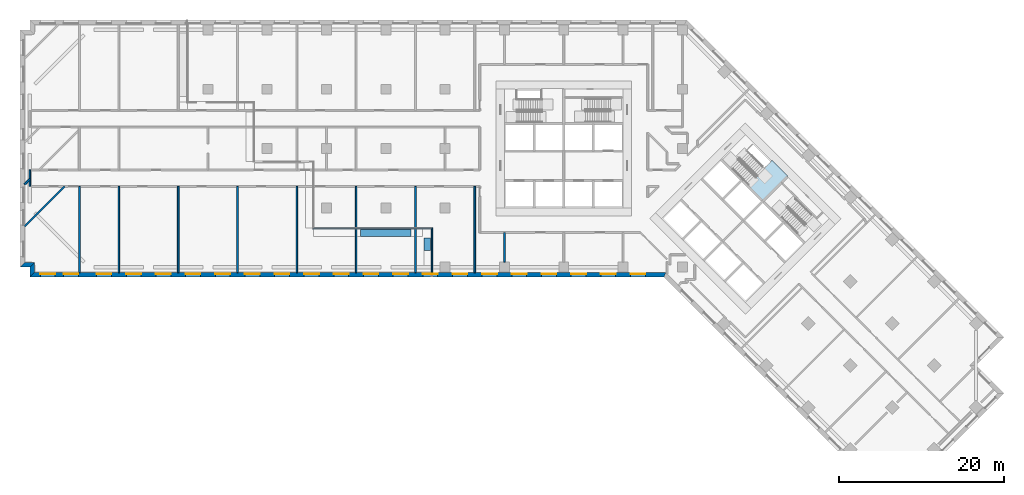
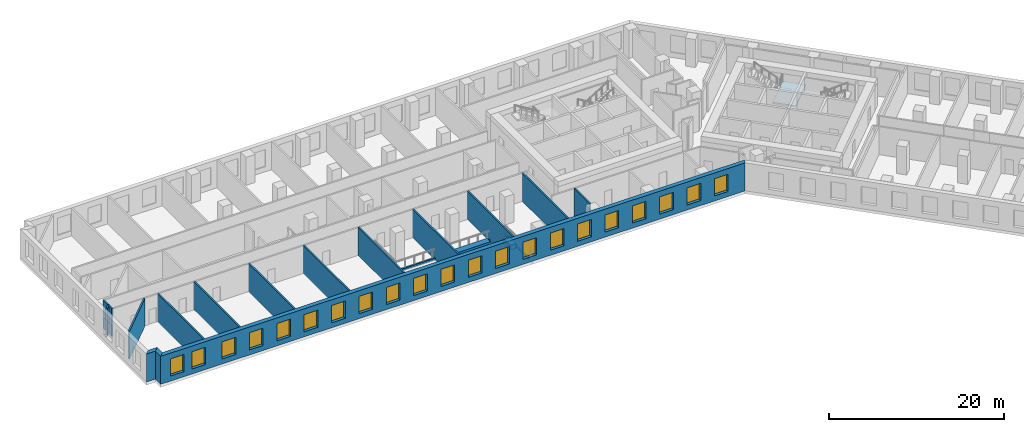
# One storey, part 2 of 12: 21 windows, 19 walls, 1 slab, 21 openings, 1 element without a shape of its own.
"""IFC4 building model written with IfcOpenShell, lengths in metres."""

import ifcopenshell
import ifcopenshell.guid

model = None  # the IFC model being written
_history = None  # IfcOwnerHistory: only IFC2X3 demands one
_inside = {}  # id of a spatial element -> (the spatial element, [elements in it])
_under = {}  # id of a project, library or spatial element -> (it, [spatial elements below it])
_declared = {}  # id of a project -> (the project, [libraries it declares])
_typed = {}  # id of a type object -> (the type object, [elements of that type])
_made_of = {}  # id of a material, layer set ... -> (it, [elements and type objects made of it])


def new_model(schema):
    """Start an empty IFC model of exactly this schema.

    Asked for "IFC4X3", IfcOpenShell would pick the latest addendum, in which some entities
    have other attributes; the version numbers below select the first issue.
    IFC2X3 requires an IfcOwnerHistory on every rooted entity: one is made here for all.
    """
    global model, _history
    if schema == "IFC4X3":
        model = ifcopenshell.file(schema_version=(4, 3, 0, 0))
    else:
        model = ifcopenshell.file(schema=schema)
    _inside.clear()
    _under.clear()
    _declared.clear()
    _typed.clear()
    _made_of.clear()
    _history = None
    if model.schema == "IFC2X3":
        org = make("IfcOrganization", Name="unknown")
        user = make(
            "IfcPersonAndOrganization",
            ThePerson=make("IfcPerson", FamilyName="unknown"),
            TheOrganization=org,
        )
        app = make(
            "IfcApplication",
            ApplicationDeveloper=org,
            Version="unknown",
            ApplicationFullName="unknown",
            ApplicationIdentifier="unknown",
        )
        _history = make(
            "IfcOwnerHistory",
            OwningUser=user,
            OwningApplication=app,
            ChangeAction="ADDED",
            CreationDate=0,
        )
    return model


def make(cls, **values):
    """One entity of the class cls with the attributes given. An attribute that is None is left unset."""
    return model.create_entity(
        cls, **{name: value for name, value in values.items() if value is not None}
    )


def rooted(cls, **values):
    """An entity with a GlobalId (a new one), such as an element, a storey or a relation."""
    return make(cls, GlobalId=ifcopenshell.guid.new(), OwnerHistory=_history, **values)


def si_unit(unit_type, name, prefix=None):
    """IfcSIUnit, for example si_unit("LENGTHUNIT", "METRE", prefix="MILLI")."""
    return make("IfcSIUnit", UnitType=unit_type, Prefix=prefix, Name=name)


def assignment(units):
    """IfcUnitAssignment: the units of a project."""
    return None if units is None else make("IfcUnitAssignment", Units=units)


def point(xyz):
    """IfcCartesianPoint."""
    return None if xyz is None else make("IfcCartesianPoint", Coordinates=xyz)


def direction(xyz):
    """IfcDirection."""
    return None if xyz is None else make("IfcDirection", DirectionRatios=xyz)


def frame(location, z_axis=None, x_axis=None):
    """IfcAxis2Placement3D, a coordinate frame: its origin and axes. An axis left out is left unset."""
    return make(
        "IfcAxis2Placement3D",
        Location=point(location),
        Axis=direction(z_axis),
        RefDirection=direction(x_axis),
    )


def frame_2d(location, x_axis=None):
    """IfcAxis2Placement2D, a coordinate frame in the plane: its origin and x axis."""
    return make(
        "IfcAxis2Placement2D", Location=point(location), RefDirection=direction(x_axis)
    )


def origin():
    """The frame at (0, 0, 0) with its axes left unset."""
    return frame((0.0, 0.0, 0.0))


def place(relative_to, where):
    """IfcLocalPlacement: puts the frame where relative to a parent placement (None: the world)."""
    return make(
        "IfcLocalPlacement", PlacementRelTo=relative_to, RelativePlacement=where
    )


def context(
    kind, dimensions, precision=None, world=None, true_north=None, identifier=None
):
    """IfcGeometricRepresentationContext, for example the 3D "Model" context."""
    return make(
        "IfcGeometricRepresentationContext",
        ContextIdentifier=identifier,
        ContextType=kind,
        CoordinateSpaceDimension=dimensions,
        Precision=precision,
        WorldCoordinateSystem=world,
        TrueNorth=true_north,
    )


def subcontext(parent, identifier, kind, view, scale=None):
    """IfcGeometricRepresentationSubContext, for example "Body" below "Model"."""
    return make(
        "IfcGeometricRepresentationSubContext",
        ContextIdentifier=identifier,
        ContextType=kind,
        ParentContext=parent,
        TargetScale=scale,
        TargetView=view,
    )


def project(units=None, contexts=None):
    """IfcProject with its units and contexts."""
    return rooted(
        "IfcProject",
        Name="project",
        RepresentationContexts=contexts,
        UnitsInContext=assignment(units),
    )


def spatial(cls, under=None, at=None, **own):
    """A site, building, storey or space (cls), placed at a placement, below another one or the project."""
    s = rooted(cls, ObjectPlacement=at, **own)
    if under is not None:
        _under.setdefault(under.id(), (under, []))[1].append(s)
    return s


def polyline(points):
    """IfcPolyline through the points."""
    return make("IfcPolyline", Points=[point(p) for p in points])


def profile(cls, at=None, kind="AREA", **sizes):
    """A parametric profile (cls). Its sizes go by their IFC names, for example OverallWidth=200.0."""
    return make(cls, ProfileType=kind, Position=at, **sizes)


def rectangle(**sizes):
    """IfcRectangleProfileDef."""
    return profile("IfcRectangleProfileDef", **sizes)


def outline(outer, holes=None, kind="AREA"):
    """IfcArbitraryClosedProfileDef: a profile drawn as a closed curve; with holes, ...WithVoids."""
    if holes is None:
        return make("IfcArbitraryClosedProfileDef", ProfileType=kind, OuterCurve=outer)
    return make(
        "IfcArbitraryProfileDefWithVoids",
        ProfileType=kind,
        OuterCurve=outer,
        InnerCurves=holes,
    )


def extrude(swept, where, along, depth):
    """IfcExtrudedAreaSolid: the profile swept, set in the frame where, extruded along a direction by depth."""
    return make(
        "IfcExtrudedAreaSolid",
        SweptArea=swept,
        Position=where,
        ExtrudedDirection=direction(along),
        Depth=depth,
    )


def shape(context_of_items, identifier, shape_type, items):
    """IfcShapeRepresentation: the items that make up one representation, for example the "Body"."""
    return make(
        "IfcShapeRepresentation",
        ContextOfItems=context_of_items,
        RepresentationIdentifier=identifier,
        RepresentationType=shape_type,
        Items=items,
    )


def material(Name=None, Category=None):
    """IfcMaterial."""
    return make("IfcMaterial", Name=Name, Category=Category)


def layer(
    of_material, thickness, ventilated=None, Name=None, Category=None, Priority=None
):
    """IfcMaterialLayer: one layer of a wall or slab, of a material (None: an air gap)."""
    return make(
        "IfcMaterialLayer",
        Material=of_material,
        LayerThickness=thickness,
        IsVentilated=ventilated,
        Name=Name,
        Category=Category,
        Priority=Priority,
    )


def layer_set(layers, Name=None):
    """IfcMaterialLayerSet."""
    return make("IfcMaterialLayerSet", MaterialLayers=layers, LayerSetName=Name)


def made_of(thing, what):
    """Note that an element or type object is made of a material, layer set ...; save() writes the relation."""
    if what is not None:
        _made_of.setdefault(what.id(), (what, []))[1].append(thing)
    return thing


def type_object(cls, material=None, **own):
    """A type object (cls), such as IfcWallType, which elements share."""
    return made_of(rooted(cls, **own), material)


def element(
    cls,
    number,
    at=None,
    inside=None,
    cuts=None,
    type_object=None,
    material=None,
    context=None,
    identifier="Body",
    shape_type=None,
    held_by="IfcProductDefinitionShape",
    body=None,
    shapes=None,
    **own,
):
    """One element of the class cls, such as IfcWall. Its Tag is "e" and its number.

    at: its placement. inside: the storey or other place that contains it. cuts: it is an
    opening in that element (IfcRelVoidsElement). A single representation is given by context,
    identifier, shape_type and body (its items); several are given by shapes. held_by: the class
    of the entity that holds the representations. save() writes the other relations.
    """
    e = rooted(cls, Tag="e%d" % number, ObjectPlacement=at, **own)
    if body is not None:
        shapes = [shape(context, identifier, shape_type, body)]
    if shapes is not None:
        e.Representation = make(held_by, Representations=shapes)
    if inside is not None:
        _inside.setdefault(inside.id(), (inside, []))[1].append(e)
    if cuts is not None:
        rooted(
            "IfcRelVoidsElement", RelatingBuildingElement=cuts, RelatedOpeningElement=e
        )
    if type_object is not None:
        _typed.setdefault(type_object.id(), (type_object, []))[1].append(e)
    return made_of(e, material)


def fill(opening, filler):
    """IfcRelFillsElement: the door or window that sits in an opening."""
    return rooted(
        "IfcRelFillsElement",
        RelatingOpeningElement=opening,
        RelatedBuildingElement=filler,
    )


def aggregate(whole, parts):
    """IfcRelAggregates: a whole, such as a stair, and the parts it consists of."""
    return rooted("IfcRelAggregates", RelatingObject=whole, RelatedObjects=parts)


def save(model, path):
    """Write the relations noted so far, then the file.

    IfcRelAggregates (storeys below a building ...), IfcRelContainedInSpatialStructure (elements
    in a storey), IfcRelDefinesByType, IfcRelAssociatesMaterial and IfcRelDeclares: one each for
    every whole, place, type object, material and project.
    """
    for whole, parts in _under.values():
        aggregate(whole, parts)
    for where, things in _inside.values():
        rooted(
            "IfcRelContainedInSpatialStructure",
            RelatedElements=things,
            RelatingStructure=where,
        )
    for kind, things in _typed.values():
        rooted("IfcRelDefinesByType", RelatedObjects=things, RelatingType=kind)
    for what, things in _made_of.values():
        rooted("IfcRelAssociatesMaterial", RelatedObjects=things, RelatingMaterial=what)
    for by, libraries in _declared.values():
        rooted("IfcRelDeclares", RelatingContext=by, RelatedDefinitions=libraries)
    model.write(path)


model = new_model("IFC4")

# Units and contexts
model_context = context("Model", 3, precision=1e-05, world=origin(), true_north=direction((0.0, 1.0)))
body_context = subcontext(model_context, "Body", "Model", "MODEL_VIEW")
ifc_project = project(units=[si_unit("LENGTHUNIT", "METRE"), si_unit("AREAUNIT", "SQUARE_METRE"), si_unit("VOLUMEUNIT", "CUBIC_METRE"), si_unit("PLANEANGLEUNIT", "RADIAN"), si_unit("MASSUNIT", "GRAM", prefix="KILO")], contexts=[model_context])

# Site, building, storey
site_placement = place(None, origin())
site = spatial("IfcSite", under=ifc_project, at=site_placement, CompositionType="ELEMENT")
building_placement = place(site_placement, origin())
building = spatial("IfcBuilding", under=site, at=building_placement, Name="Windrow Commons", CompositionType="ELEMENT")
storey_placement = place(building_placement, frame((0.0, 0.0, 22.8)))
storey = spatial("IfcBuildingStorey", under=building, at=storey_placement, Name="L05", CompositionType="ELEMENT", Elevation=22.8)

# Stair, slab
ifc_material_1 = material(Name="Concrete C40/50", Category="concrete")
stair_type = type_object("IfcStairType", Name="Core stair", PredefinedType="HALF_TURN_STAIR", material=ifc_material_1)
stair_placement = place(storey_placement, origin())
stair = element("IfcStair", 1, at=stair_placement, inside=storey, type_object=stair_type, Name="L05 Exit stair B1 core B", PredefinedType="HALF_TURN_STAIR")
ifc_material_2 = material(Name="Concrete C40/50", Category="concrete")
ifc_layer_1 = layer(ifc_material_2, 0.2)
ifc_layer_set_1 = layer_set([ifc_layer_1], Name="Core stair landing")
slab_type = type_object("IfcSlabType", Name="Core stair landing", PredefinedType="LANDING", material=ifc_layer_set_1)
slab_placement = place(storey_placement, frame((0.0, 0.0, 1.9)))
slab = element("IfcSlab", 2, at=slab_placement, type_object=slab_type, Name="ST-B1 landing 1", PredefinedType="LANDING", context=body_context, shape_type="SweptSolid", body=[
    extrude(outline(polyline([(86.9499, 53.0778), (88.8874, 51.1403), (91.9986, 54.2516), (90.0612, 56.1891), (86.9499, 53.0778)])), origin(), (0.0, 0.0, 1.0), 0.2),
])
aggregate(stair, [slab])

# Walls
ifc_material_3 = material(Name="Brick masonry, red clay brick", Category="masonry")
ifc_layer_2 = layer(ifc_material_3, 0.55)
ifc_layer_set_2 = layer_set([ifc_layer_2], Name="Brick facade wall 550")
wall_type_1 = type_object("IfcWallType", Name="Brick facade wall 550", PredefinedType="SOLIDWALL", material=ifc_layer_set_2)
wall_1_placement = place(storey_placement, frame((-0.925, 43.475, 0.0), z_axis=(0.0, 0.0, 1.0), x_axis=(1.0, 0.0, 0.0)))
element("IfcWall", 3, at=wall_1_placement, inside=storey, type_object=wall_type_1, Name="Brick facade wall L05 9", PredefinedType="SOLIDWALL", context=body_context, shape_type="SweptSolid", body=[
    extrude(outline(polyline([(-0.275, -0.275), (0.925, -0.275), (1.475, 0.275), (0.275, 0.275), (-0.275, -0.275)])), origin(), (0.0, 0.0, 1.0), 3.9),
])
wall_2_placement = place(storey_placement, frame((0.275, 43.475, 0.0), z_axis=(0.0, 0.0, 1.0), x_axis=(0.0, -1.0, 0.0)))
element("IfcWall", 4, at=wall_2_placement, inside=storey, type_object=wall_type_1, Name="Brick facade wall L05 10", PredefinedType="SOLIDWALL", context=body_context, shape_type="SweptSolid", body=[
    extrude(outline(polyline([(0.275, -0.275), (1.475, -0.275), (0.925, 0.275), (-0.275, 0.275), (0.275, -0.275)])), origin(), (0.0, 0.0, 1.0), 3.9),
])

# Wall, openings, windows
wall_3_placement = place(storey_placement, frame((0.275, 42.275, 0.0), z_axis=(0.0, 0.0, 1.0), x_axis=(1.0, 0.0, 0.0)))
wall_3 = element("IfcWall", 5, at=wall_3_placement, inside=storey, type_object=wall_type_1, Name="Brick facade wall L05 11", PredefinedType="SOLIDWALL", context=body_context, shape_type="SweptSolid", body=[
    extrude(outline(polyline([(-0.275, -0.275), (76.6809, -0.275), (76.9087, 0.275), (0.275, 0.275), (-0.275, -0.275)])), origin(), (0.0, 0.0, 1.0), 3.9),
])
opening_1_placement = place(wall_3_placement, frame((1.0, 0.0, 0.7)))
opening_1 = element("IfcOpeningElement", 6, at=opening_1_placement, cuts=wall_3, Name="Opening W2B", PredefinedType="OPENING", context=body_context, shape_type="SweptSolid", body=[
    extrude(rectangle(XDim=1.8, YDim=2.4, at=frame_2d((0.9, 1.2))), frame((0.0, 0.285, 0.0), z_axis=(0.0, -1.0, 0.0), x_axis=(1.0, 0.0, 0.0)), (0.0, 0.0, 1.0), 0.57),
])
opening_2_placement = place(wall_3_placement, frame((3.825, 0.0, 0.7)))
opening_2 = element("IfcOpeningElement", 7, at=opening_2_placement, cuts=wall_3, Name="Opening W2B", PredefinedType="OPENING", context=body_context, shape_type="SweptSolid", body=[
    extrude(rectangle(XDim=1.8, YDim=2.4, at=frame_2d((0.9, 1.2))), frame((0.0, 0.285, 0.0), z_axis=(0.0, -1.0, 0.0), x_axis=(1.0, 0.0, 0.0)), (0.0, 0.0, 1.0), 0.57),
])
opening_3_placement = place(wall_3_placement, frame((7.825, 0.0, 0.7)))
opening_3 = element("IfcOpeningElement", 8, at=opening_3_placement, cuts=wall_3, Name="Opening W2B", PredefinedType="OPENING", context=body_context, shape_type="SweptSolid", body=[
    extrude(rectangle(XDim=1.8, YDim=2.4, at=frame_2d((0.9, 1.2))), frame((0.0, 0.285, 0.0), z_axis=(0.0, -1.0, 0.0), x_axis=(1.0, 0.0, 0.0)), (0.0, 0.0, 1.0), 0.57),
])
opening_4_placement = place(wall_3_placement, frame((11.425, 0.0, 0.7)))
opening_4 = element("IfcOpeningElement", 9, at=opening_4_placement, cuts=wall_3, Name="Opening W2B", PredefinedType="OPENING", context=body_context, shape_type="SweptSolid", body=[
    extrude(rectangle(XDim=1.8, YDim=2.4, at=frame_2d((0.9, 1.2))), frame((0.0, 0.285, 0.0), z_axis=(0.0, -1.0, 0.0), x_axis=(1.0, 0.0, 0.0)), (0.0, 0.0, 1.0), 0.57),
])
opening_5_placement = place(wall_3_placement, frame((15.025, 0.0, 0.7)))
opening_5 = element("IfcOpeningElement", 10, at=opening_5_placement, cuts=wall_3, Name="Opening W2B", PredefinedType="OPENING", context=body_context, shape_type="SweptSolid", body=[
    extrude(rectangle(XDim=1.8, YDim=2.4, at=frame_2d((0.9, 1.2))), frame((0.0, 0.285, 0.0), z_axis=(0.0, -1.0, 0.0), x_axis=(1.0, 0.0, 0.0)), (0.0, 0.0, 1.0), 0.57),
])
opening_6_placement = place(wall_3_placement, frame((18.625, 0.0, 0.7)))
opening_6 = element("IfcOpeningElement", 11, at=opening_6_placement, cuts=wall_3, Name="Opening W2B", PredefinedType="OPENING", context=body_context, shape_type="SweptSolid", body=[
    extrude(rectangle(XDim=1.8, YDim=2.4, at=frame_2d((0.9, 1.2))), frame((0.0, 0.285, 0.0), z_axis=(0.0, -1.0, 0.0), x_axis=(1.0, 0.0, 0.0)), (0.0, 0.0, 1.0), 0.57),
])
opening_7_placement = place(wall_3_placement, frame((22.225, 0.0, 0.7)))
opening_7 = element("IfcOpeningElement", 12, at=opening_7_placement, cuts=wall_3, Name="Opening W2B", PredefinedType="OPENING", context=body_context, shape_type="SweptSolid", body=[
    extrude(rectangle(XDim=1.8, YDim=2.4, at=frame_2d((0.9, 1.2))), frame((0.0, 0.285, 0.0), z_axis=(0.0, -1.0, 0.0), x_axis=(1.0, 0.0, 0.0)), (0.0, 0.0, 1.0), 0.57),
])
opening_8_placement = place(wall_3_placement, frame((25.825, 0.0, 0.7)))
opening_8 = element("IfcOpeningElement", 13, at=opening_8_placement, cuts=wall_3, Name="Opening W2B", PredefinedType="OPENING", context=body_context, shape_type="SweptSolid", body=[
    extrude(rectangle(XDim=1.8, YDim=2.4, at=frame_2d((0.9, 1.2))), frame((0.0, 0.285, 0.0), z_axis=(0.0, -1.0, 0.0), x_axis=(1.0, 0.0, 0.0)), (0.0, 0.0, 1.0), 0.57),
])
opening_9_placement = place(wall_3_placement, frame((29.425, 0.0, 0.7)))
opening_9 = element("IfcOpeningElement", 14, at=opening_9_placement, cuts=wall_3, Name="Opening W2B", PredefinedType="OPENING", context=body_context, shape_type="SweptSolid", body=[
    extrude(rectangle(XDim=1.8, YDim=2.4, at=frame_2d((0.9, 1.2))), frame((0.0, 0.285, 0.0), z_axis=(0.0, -1.0, 0.0), x_axis=(1.0, 0.0, 0.0)), (0.0, 0.0, 1.0), 0.57),
])
opening_10_placement = place(wall_3_placement, frame((33.025, 0.0, 0.7)))
opening_10 = element("IfcOpeningElement", 15, at=opening_10_placement, cuts=wall_3, Name="Opening W2B", PredefinedType="OPENING", context=body_context, shape_type="SweptSolid", body=[
    extrude(rectangle(XDim=1.8, YDim=2.4, at=frame_2d((0.9, 1.2))), frame((0.0, 0.285, 0.0), z_axis=(0.0, -1.0, 0.0), x_axis=(1.0, 0.0, 0.0)), (0.0, 0.0, 1.0), 0.57),
])
opening_11_placement = place(wall_3_placement, frame((36.625, 0.0, 0.7)))
opening_11 = element("IfcOpeningElement", 16, at=opening_11_placement, cuts=wall_3, Name="Opening W2B", PredefinedType="OPENING", context=body_context, shape_type="SweptSolid", body=[
    extrude(rectangle(XDim=1.8, YDim=2.4, at=frame_2d((0.9, 1.2))), frame((0.0, 0.285, 0.0), z_axis=(0.0, -1.0, 0.0), x_axis=(1.0, 0.0, 0.0)), (0.0, 0.0, 1.0), 0.57),
])
opening_12_placement = place(wall_3_placement, frame((40.225, 0.0, 0.7)))
opening_12 = element("IfcOpeningElement", 17, at=opening_12_placement, cuts=wall_3, Name="Opening W2B", PredefinedType="OPENING", context=body_context, shape_type="SweptSolid", body=[
    extrude(rectangle(XDim=1.8, YDim=2.4, at=frame_2d((0.9, 1.2))), frame((0.0, 0.285, 0.0), z_axis=(0.0, -1.0, 0.0), x_axis=(1.0, 0.0, 0.0)), (0.0, 0.0, 1.0), 0.57),
])
opening_13_placement = place(wall_3_placement, frame((43.825, 0.0, 0.7)))
opening_13 = element("IfcOpeningElement", 18, at=opening_13_placement, cuts=wall_3, Name="Opening W2B", PredefinedType="OPENING", context=body_context, shape_type="SweptSolid", body=[
    extrude(rectangle(XDim=1.8, YDim=2.4, at=frame_2d((0.9, 1.2))), frame((0.0, 0.285, 0.0), z_axis=(0.0, -1.0, 0.0), x_axis=(1.0, 0.0, 0.0)), (0.0, 0.0, 1.0), 0.57),
])
opening_14_placement = place(wall_3_placement, frame((47.425, 0.0, 0.7)))
opening_14 = element("IfcOpeningElement", 19, at=opening_14_placement, cuts=wall_3, Name="Opening W2B", PredefinedType="OPENING", context=body_context, shape_type="SweptSolid", body=[
    extrude(rectangle(XDim=1.8, YDim=2.4, at=frame_2d((0.9, 1.2))), frame((0.0, 0.285, 0.0), z_axis=(0.0, -1.0, 0.0), x_axis=(1.0, 0.0, 0.0)), (0.0, 0.0, 1.0), 0.57),
])
opening_15_placement = place(wall_3_placement, frame((51.025, 0.0, 0.7)))
opening_15 = element("IfcOpeningElement", 20, at=opening_15_placement, cuts=wall_3, Name="Opening W2B", PredefinedType="OPENING", context=body_context, shape_type="SweptSolid", body=[
    extrude(rectangle(XDim=1.8, YDim=2.4, at=frame_2d((0.9, 1.2))), frame((0.0, 0.285, 0.0), z_axis=(0.0, -1.0, 0.0), x_axis=(1.0, 0.0, 0.0)), (0.0, 0.0, 1.0), 0.57),
])
opening_16_placement = place(wall_3_placement, frame((54.625, 0.0, 0.7)))
opening_16 = element("IfcOpeningElement", 21, at=opening_16_placement, cuts=wall_3, Name="Opening W2B", PredefinedType="OPENING", context=body_context, shape_type="SweptSolid", body=[
    extrude(rectangle(XDim=1.8, YDim=2.4, at=frame_2d((0.9, 1.2))), frame((0.0, 0.285, 0.0), z_axis=(0.0, -1.0, 0.0), x_axis=(1.0, 0.0, 0.0)), (0.0, 0.0, 1.0), 0.57),
])
opening_17_placement = place(wall_3_placement, frame((58.225, 0.0, 0.7)))
opening_17 = element("IfcOpeningElement", 22, at=opening_17_placement, cuts=wall_3, Name="Opening W2B", PredefinedType="OPENING", context=body_context, shape_type="SweptSolid", body=[
    extrude(rectangle(XDim=1.8, YDim=2.4, at=frame_2d((0.9, 1.2))), frame((0.0, 0.285, 0.0), z_axis=(0.0, -1.0, 0.0), x_axis=(1.0, 0.0, 0.0)), (0.0, 0.0, 1.0), 0.57),
])
opening_18_placement = place(wall_3_placement, frame((61.825, 0.0, 0.7)))
opening_18 = element("IfcOpeningElement", 23, at=opening_18_placement, cuts=wall_3, Name="Opening W2B", PredefinedType="OPENING", context=body_context, shape_type="SweptSolid", body=[
    extrude(rectangle(XDim=1.8, YDim=2.4, at=frame_2d((0.9, 1.2))), frame((0.0, 0.285, 0.0), z_axis=(0.0, -1.0, 0.0), x_axis=(1.0, 0.0, 0.0)), (0.0, 0.0, 1.0), 0.57),
])
opening_19_placement = place(wall_3_placement, frame((65.425, 0.0, 0.7)))
opening_19 = element("IfcOpeningElement", 24, at=opening_19_placement, cuts=wall_3, Name="Opening W2B", PredefinedType="OPENING", context=body_context, shape_type="SweptSolid", body=[
    extrude(rectangle(XDim=1.8, YDim=2.4, at=frame_2d((0.9, 1.2))), frame((0.0, 0.285, 0.0), z_axis=(0.0, -1.0, 0.0), x_axis=(1.0, 0.0, 0.0)), (0.0, 0.0, 1.0), 0.57),
])
opening_20_placement = place(wall_3_placement, frame((69.025, 0.0, 0.7)))
opening_20 = element("IfcOpeningElement", 25, at=opening_20_placement, cuts=wall_3, Name="Opening W2B", PredefinedType="OPENING", context=body_context, shape_type="SweptSolid", body=[
    extrude(rectangle(XDim=1.8, YDim=2.4, at=frame_2d((0.9, 1.2))), frame((0.0, 0.285, 0.0), z_axis=(0.0, -1.0, 0.0), x_axis=(1.0, 0.0, 0.0)), (0.0, 0.0, 1.0), 0.57),
])
opening_21_placement = place(wall_3_placement, frame((72.625, 0.0, 0.7)))
opening_21 = element("IfcOpeningElement", 26, at=opening_21_placement, cuts=wall_3, Name="Opening W2B", PredefinedType="OPENING", context=body_context, shape_type="SweptSolid", body=[
    extrude(rectangle(XDim=1.8, YDim=2.4, at=frame_2d((0.9, 1.2))), frame((0.0, 0.285, 0.0), z_axis=(0.0, -1.0, 0.0), x_axis=(1.0, 0.0, 0.0)), (0.0, 0.0, 1.0), 0.57),
])
ifc_material_4 = material(Name="Clear float glass in anodised aluminium frame", Category="aluminium")
window_type = type_object("IfcWindowType", Name="Window W2 podium 1800x2400", PartitioningType="SINGLE_PANEL", PredefinedType="WINDOW", material=ifc_material_4)
window_1_placement = place(opening_1_placement, origin())
window_1 = element("IfcWindow", 27, at=window_1_placement, inside=storey, type_object=window_type, Name="Window L05 11.1", OverallHeight=2.4, OverallWidth=1.8, PartitioningType="SINGLE_PANEL", PredefinedType="WINDOW", context=body_context, shape_type="SweptSolid", body=[
    extrude(rectangle(XDim=1.8, YDim=2.4, at=frame_2d((0.9, 1.2))), frame((0.0, 0.155, 0.0), z_axis=(0.0, -1.0, 0.0), x_axis=(1.0, 0.0, 0.0)), (0.0, 0.0, 1.0), 0.06),
])
fill(opening_1, window_1)
window_2_placement = place(opening_2_placement, origin())
window_2 = element("IfcWindow", 28, at=window_2_placement, inside=storey, type_object=window_type, Name="Window L05 11.2", OverallHeight=2.4, OverallWidth=1.8, PartitioningType="SINGLE_PANEL", PredefinedType="WINDOW", context=body_context, shape_type="SweptSolid", body=[
    extrude(rectangle(XDim=1.8, YDim=2.4, at=frame_2d((0.9, 1.2))), frame((0.0, 0.155, 0.0), z_axis=(0.0, -1.0, 0.0), x_axis=(1.0, 0.0, 0.0)), (0.0, 0.0, 1.0), 0.06),
])
fill(opening_2, window_2)
window_3_placement = place(opening_3_placement, origin())
window_3 = element("IfcWindow", 29, at=window_3_placement, inside=storey, type_object=window_type, Name="Window L05 11.3", OverallHeight=2.4, OverallWidth=1.8, PartitioningType="SINGLE_PANEL", PredefinedType="WINDOW", context=body_context, shape_type="SweptSolid", body=[
    extrude(rectangle(XDim=1.8, YDim=2.4, at=frame_2d((0.9, 1.2))), frame((0.0, 0.155, 0.0), z_axis=(0.0, -1.0, 0.0), x_axis=(1.0, 0.0, 0.0)), (0.0, 0.0, 1.0), 0.06),
])
fill(opening_3, window_3)
window_4_placement = place(opening_4_placement, origin())
window_4 = element("IfcWindow", 30, at=window_4_placement, inside=storey, type_object=window_type, Name="Window L05 11.4", OverallHeight=2.4, OverallWidth=1.8, PartitioningType="SINGLE_PANEL", PredefinedType="WINDOW", context=body_context, shape_type="SweptSolid", body=[
    extrude(rectangle(XDim=1.8, YDim=2.4, at=frame_2d((0.9, 1.2))), frame((0.0, 0.155, 0.0), z_axis=(0.0, -1.0, 0.0), x_axis=(1.0, 0.0, 0.0)), (0.0, 0.0, 1.0), 0.06),
])
fill(opening_4, window_4)
window_5_placement = place(opening_5_placement, origin())
window_5 = element("IfcWindow", 31, at=window_5_placement, inside=storey, type_object=window_type, Name="Window L05 11.5", OverallHeight=2.4, OverallWidth=1.8, PartitioningType="SINGLE_PANEL", PredefinedType="WINDOW", context=body_context, shape_type="SweptSolid", body=[
    extrude(rectangle(XDim=1.8, YDim=2.4, at=frame_2d((0.9, 1.2))), frame((0.0, 0.155, 0.0), z_axis=(0.0, -1.0, 0.0), x_axis=(1.0, 0.0, 0.0)), (0.0, 0.0, 1.0), 0.06),
])
fill(opening_5, window_5)
window_6_placement = place(opening_6_placement, origin())
window_6 = element("IfcWindow", 32, at=window_6_placement, inside=storey, type_object=window_type, Name="Window L05 11.6", OverallHeight=2.4, OverallWidth=1.8, PartitioningType="SINGLE_PANEL", PredefinedType="WINDOW", context=body_context, shape_type="SweptSolid", body=[
    extrude(rectangle(XDim=1.8, YDim=2.4, at=frame_2d((0.9, 1.2))), frame((0.0, 0.155, 0.0), z_axis=(0.0, -1.0, 0.0), x_axis=(1.0, 0.0, 0.0)), (0.0, 0.0, 1.0), 0.06),
])
fill(opening_6, window_6)
window_7_placement = place(opening_7_placement, origin())
window_7 = element("IfcWindow", 33, at=window_7_placement, inside=storey, type_object=window_type, Name="Window L05 11.7", OverallHeight=2.4, OverallWidth=1.8, PartitioningType="SINGLE_PANEL", PredefinedType="WINDOW", context=body_context, shape_type="SweptSolid", body=[
    extrude(rectangle(XDim=1.8, YDim=2.4, at=frame_2d((0.9, 1.2))), frame((0.0, 0.155, 0.0), z_axis=(0.0, -1.0, 0.0), x_axis=(1.0, 0.0, 0.0)), (0.0, 0.0, 1.0), 0.06),
])
fill(opening_7, window_7)
window_8_placement = place(opening_8_placement, origin())
window_8 = element("IfcWindow", 34, at=window_8_placement, inside=storey, type_object=window_type, Name="Window L05 11.8", OverallHeight=2.4, OverallWidth=1.8, PartitioningType="SINGLE_PANEL", PredefinedType="WINDOW", context=body_context, shape_type="SweptSolid", body=[
    extrude(rectangle(XDim=1.8, YDim=2.4, at=frame_2d((0.9, 1.2))), frame((0.0, 0.155, 0.0), z_axis=(0.0, -1.0, 0.0), x_axis=(1.0, 0.0, 0.0)), (0.0, 0.0, 1.0), 0.06),
])
fill(opening_8, window_8)
window_9_placement = place(opening_9_placement, origin())
window_9 = element("IfcWindow", 35, at=window_9_placement, inside=storey, type_object=window_type, Name="Window L05 11.9", OverallHeight=2.4, OverallWidth=1.8, PartitioningType="SINGLE_PANEL", PredefinedType="WINDOW", context=body_context, shape_type="SweptSolid", body=[
    extrude(rectangle(XDim=1.8, YDim=2.4, at=frame_2d((0.9, 1.2))), frame((0.0, 0.155, 0.0), z_axis=(0.0, -1.0, 0.0), x_axis=(1.0, 0.0, 0.0)), (0.0, 0.0, 1.0), 0.06),
])
fill(opening_9, window_9)
window_10_placement = place(opening_10_placement, origin())
window_10 = element("IfcWindow", 36, at=window_10_placement, inside=storey, type_object=window_type, Name="Window L05 11.10", OverallHeight=2.4, OverallWidth=1.8, PartitioningType="SINGLE_PANEL", PredefinedType="WINDOW", context=body_context, shape_type="SweptSolid", body=[
    extrude(rectangle(XDim=1.8, YDim=2.4, at=frame_2d((0.9, 1.2))), frame((0.0, 0.155, 0.0), z_axis=(0.0, -1.0, 0.0), x_axis=(1.0, 0.0, 0.0)), (0.0, 0.0, 1.0), 0.06),
])
fill(opening_10, window_10)
window_11_placement = place(opening_11_placement, origin())
window_11 = element("IfcWindow", 37, at=window_11_placement, inside=storey, type_object=window_type, Name="Window L05 11.11", OverallHeight=2.4, OverallWidth=1.8, PartitioningType="SINGLE_PANEL", PredefinedType="WINDOW", context=body_context, shape_type="SweptSolid", body=[
    extrude(rectangle(XDim=1.8, YDim=2.4, at=frame_2d((0.9, 1.2))), frame((0.0, 0.155, 0.0), z_axis=(0.0, -1.0, 0.0), x_axis=(1.0, 0.0, 0.0)), (0.0, 0.0, 1.0), 0.06),
])
fill(opening_11, window_11)
window_12_placement = place(opening_12_placement, origin())
window_12 = element("IfcWindow", 38, at=window_12_placement, inside=storey, type_object=window_type, Name="Window L05 11.12", OverallHeight=2.4, OverallWidth=1.8, PartitioningType="SINGLE_PANEL", PredefinedType="WINDOW", context=body_context, shape_type="SweptSolid", body=[
    extrude(rectangle(XDim=1.8, YDim=2.4, at=frame_2d((0.9, 1.2))), frame((0.0, 0.155, 0.0), z_axis=(0.0, -1.0, 0.0), x_axis=(1.0, 0.0, 0.0)), (0.0, 0.0, 1.0), 0.06),
])
fill(opening_12, window_12)
window_13_placement = place(opening_13_placement, origin())
window_13 = element("IfcWindow", 39, at=window_13_placement, inside=storey, type_object=window_type, Name="Window L05 11.13", OverallHeight=2.4, OverallWidth=1.8, PartitioningType="SINGLE_PANEL", PredefinedType="WINDOW", context=body_context, shape_type="SweptSolid", body=[
    extrude(rectangle(XDim=1.8, YDim=2.4, at=frame_2d((0.9, 1.2))), frame((0.0, 0.155, 0.0), z_axis=(0.0, -1.0, 0.0), x_axis=(1.0, 0.0, 0.0)), (0.0, 0.0, 1.0), 0.06),
])
fill(opening_13, window_13)
window_14_placement = place(opening_14_placement, origin())
window_14 = element("IfcWindow", 40, at=window_14_placement, inside=storey, type_object=window_type, Name="Window L05 11.14", OverallHeight=2.4, OverallWidth=1.8, PartitioningType="SINGLE_PANEL", PredefinedType="WINDOW", context=body_context, shape_type="SweptSolid", body=[
    extrude(rectangle(XDim=1.8, YDim=2.4, at=frame_2d((0.9, 1.2))), frame((0.0, 0.155, 0.0), z_axis=(0.0, -1.0, 0.0), x_axis=(1.0, 0.0, 0.0)), (0.0, 0.0, 1.0), 0.06),
])
fill(opening_14, window_14)
window_15_placement = place(opening_15_placement, origin())
window_15 = element("IfcWindow", 41, at=window_15_placement, inside=storey, type_object=window_type, Name="Window L05 11.15", OverallHeight=2.4, OverallWidth=1.8, PartitioningType="SINGLE_PANEL", PredefinedType="WINDOW", context=body_context, shape_type="SweptSolid", body=[
    extrude(rectangle(XDim=1.8, YDim=2.4, at=frame_2d((0.9, 1.2))), frame((0.0, 0.155, 0.0), z_axis=(0.0, -1.0, 0.0), x_axis=(1.0, 0.0, 0.0)), (0.0, 0.0, 1.0), 0.06),
])
fill(opening_15, window_15)
window_16_placement = place(opening_16_placement, origin())
window_16 = element("IfcWindow", 42, at=window_16_placement, inside=storey, type_object=window_type, Name="Window L05 11.16", OverallHeight=2.4, OverallWidth=1.8, PartitioningType="SINGLE_PANEL", PredefinedType="WINDOW", context=body_context, shape_type="SweptSolid", body=[
    extrude(rectangle(XDim=1.8, YDim=2.4, at=frame_2d((0.9, 1.2))), frame((0.0, 0.155, 0.0), z_axis=(0.0, -1.0, 0.0), x_axis=(1.0, 0.0, 0.0)), (0.0, 0.0, 1.0), 0.06),
])
fill(opening_16, window_16)
window_17_placement = place(opening_17_placement, origin())
window_17 = element("IfcWindow", 43, at=window_17_placement, inside=storey, type_object=window_type, Name="Window L05 11.17", OverallHeight=2.4, OverallWidth=1.8, PartitioningType="SINGLE_PANEL", PredefinedType="WINDOW", context=body_context, shape_type="SweptSolid", body=[
    extrude(rectangle(XDim=1.8, YDim=2.4, at=frame_2d((0.9, 1.2))), frame((0.0, 0.155, 0.0), z_axis=(0.0, -1.0, 0.0), x_axis=(1.0, 0.0, 0.0)), (0.0, 0.0, 1.0), 0.06),
])
fill(opening_17, window_17)
window_18_placement = place(opening_18_placement, origin())
window_18 = element("IfcWindow", 44, at=window_18_placement, inside=storey, type_object=window_type, Name="Window L05 11.18", OverallHeight=2.4, OverallWidth=1.8, PartitioningType="SINGLE_PANEL", PredefinedType="WINDOW", context=body_context, shape_type="SweptSolid", body=[
    extrude(rectangle(XDim=1.8, YDim=2.4, at=frame_2d((0.9, 1.2))), frame((0.0, 0.155, 0.0), z_axis=(0.0, -1.0, 0.0), x_axis=(1.0, 0.0, 0.0)), (0.0, 0.0, 1.0), 0.06),
])
fill(opening_18, window_18)
window_19_placement = place(opening_19_placement, origin())
window_19 = element("IfcWindow", 45, at=window_19_placement, inside=storey, type_object=window_type, Name="Window L05 11.19", OverallHeight=2.4, OverallWidth=1.8, PartitioningType="SINGLE_PANEL", PredefinedType="WINDOW", context=body_context, shape_type="SweptSolid", body=[
    extrude(rectangle(XDim=1.8, YDim=2.4, at=frame_2d((0.9, 1.2))), frame((0.0, 0.155, 0.0), z_axis=(0.0, -1.0, 0.0), x_axis=(1.0, 0.0, 0.0)), (0.0, 0.0, 1.0), 0.06),
])
fill(opening_19, window_19)
window_20_placement = place(opening_20_placement, origin())
window_20 = element("IfcWindow", 46, at=window_20_placement, inside=storey, type_object=window_type, Name="Window L05 11.20", OverallHeight=2.4, OverallWidth=1.8, PartitioningType="SINGLE_PANEL", PredefinedType="WINDOW", context=body_context, shape_type="SweptSolid", body=[
    extrude(rectangle(XDim=1.8, YDim=2.4, at=frame_2d((0.9, 1.2))), frame((0.0, 0.155, 0.0), z_axis=(0.0, -1.0, 0.0), x_axis=(1.0, 0.0, 0.0)), (0.0, 0.0, 1.0), 0.06),
])
fill(opening_20, window_20)
window_21_placement = place(opening_21_placement, origin())
window_21 = element("IfcWindow", 47, at=window_21_placement, inside=storey, type_object=window_type, Name="Window L05 11.21", OverallHeight=2.4, OverallWidth=1.8, PartitioningType="SINGLE_PANEL", PredefinedType="WINDOW", context=body_context, shape_type="SweptSolid", body=[
    extrude(rectangle(XDim=1.8, YDim=2.4, at=frame_2d((0.9, 1.2))), frame((0.0, 0.155, 0.0), z_axis=(0.0, -1.0, 0.0), x_axis=(1.0, 0.0, 0.0)), (0.0, 0.0, 1.0), 0.06),
])
fill(opening_21, window_21)

# Walls
ifc_material_5 = material(Name="Blockwork partition", Category="masonry")
ifc_layer_3 = layer(ifc_material_5, 0.2)
ifc_layer_set_3 = layer_set([ifc_layer_3], Name="IW-CORRIDOR-200")
wall_type_2 = type_object("IfcWallType", Name="IW-CORRIDOR-200", PredefinedType="PARTITIONING", material=ifc_layer_set_3)
wall_4_placement = place(storey_placement, frame((0.0, 53.0, 0.0), z_axis=(0.0, 0.0, 1.0), x_axis=(0.0, 1.0, 0.0)))
element("IfcWall", 48, at=wall_4_placement, inside=storey, type_object=wall_type_2, Name="W-L05-W075", PredefinedType="PARTITIONING", context=body_context, shape_type="SweptSolid", body=[
    extrude(rectangle(XDim=2.0, YDim=0.2, at=frame_2d((1.0, 0.0))), origin(), (0.0, 0.0, 1.0), 3.9),
])
ifc_material_6 = material(Name="Blockwork partition", Category="masonry")
ifc_layer_4 = layer(ifc_material_6, 0.2)
ifc_layer_set_4 = layer_set([ifc_layer_4], Name="IW-PARTY-200")
wall_type_3 = type_object("IfcWallType", Name="IW-PARTY-200", PredefinedType="PARTITIONING", material=ifc_layer_set_4)
for number, where, z_axis, x_axis, name in (
    (49, (6.03, 42.55, 0.0), (0.0, 0.0, 1.0), (0.0, 1.0, 0.0), "W-L05-W010"),
    (50, (10.8, 42.55, 0.0), (0.0, 0.0, 1.0), (0.0, 1.0, 0.0), "W-L05-W011"),
    (51, (18.0, 42.55, 0.0), (0.0, 0.0, 1.0), (0.0, 1.0, 0.0), "W-L05-W012"),
    (52, (25.2, 42.55, 0.0), (0.0, 0.0, 1.0), (0.0, 1.0, 0.0), "W-L05-W013"),
    (53, (32.4, 42.55, 0.0), (0.0, 0.0, 1.0), (0.0, 1.0, 0.0), "W-L05-W014"),
    (54, (39.6, 42.55, 0.0), (0.0, 0.0, 1.0), (0.0, 1.0, 0.0), "W-L05-W015"),
    (55, (46.8, 42.55, 0.0), (0.0, 0.0, 1.0), (0.0, 1.0, 0.0), "W-L05-W016"),
    (56, (54.0, 42.55, 0.0), (0.0, 0.0, 1.0), (0.0, 1.0, 0.0), "W-L05-W017"),
):
    element("IfcWall", number, at=place(storey_placement, frame(where, z_axis=z_axis, x_axis=x_axis)), inside=storey, type_object=wall_type_3, Name=name, PredefinedType="PARTITIONING", context=body_context, shape_type="SweptSolid", body=[
        extrude(rectangle(XDim=10.45, YDim=0.2, at=frame_2d((5.225, 0.0))), origin(), (0.0, 0.0, 1.0), 3.9),
    ])
wall_5_placement = place(storey_placement, frame((-0.65, 48.1545, 0.0), z_axis=(0.0, 0.0, 1.0), x_axis=(0.7070994865, 0.7071140758, 0.0)))
element("IfcWall", 57, at=wall_5_placement, inside=storey, type_object=wall_type_3, Name="W-L05-W038", PredefinedType="PARTITIONING", context=body_context, shape_type="SweptSolid", body=[
    extrude(rectangle(XDim=6.8543, YDim=0.2, at=frame_2d((3.4272, 0.0))), origin(), (0.0, 0.0, 1.0), 3.9),
])
wall_6_placement = place(storey_placement, frame((57.6, 43.8, 0.0), z_axis=(0.0, 0.0, 1.0), x_axis=(0.0, 1.0, 0.0)))
element("IfcWall", 58, at=wall_6_placement, inside=storey, type_object=wall_type_3, Name="W-L05-W060", PredefinedType="PARTITIONING", context=body_context, shape_type="SweptSolid", body=[
    extrude(rectangle(XDim=3.6, YDim=0.2, at=frame_2d((1.8, 0.0))), origin(), (0.0, 0.0, 1.0), 3.9),
])
wall_7_placement = place(storey_placement, frame((-0.65, 53.2457, 0.0), z_axis=(0.0, 0.0, 1.0), x_axis=(0.7071612431, 0.707052315, 0.0)))
element("IfcWall", 59, at=wall_7_placement, inside=storey, type_object=wall_type_3, Name="W-L05-W106", PredefinedType="PARTITIONING", context=body_context, shape_type="SweptSolid", body=[
    extrude(rectangle(XDim=0.918, YDim=0.2, at=frame_2d((0.459, 0.0))), origin(), (0.0, 0.0, 1.0), 3.9),
])
ifc_material_7 = material(Name="Concrete C30/37 planter wall", Category="concrete")
ifc_layer_5 = layer(ifc_material_7, 0.8)
ifc_layer_set_5 = layer_set([ifc_layer_5], Name="Planter 800x600")
wall_type_4 = type_object("IfcWallType", Name="Planter 800x600", PredefinedType="SOLIDWALL", material=ifc_layer_set_5)
wall_8_placement = place(storey_placement, frame((46.28, 47.35, 0.0), z_axis=(0.0, 0.0, 1.0), x_axis=(-1.0, 0.0, 0.0)))
element("IfcWall", 60, at=wall_8_placement, inside=storey, type_object=wall_type_4, Name="PLANTER TR-L05-1.2", PredefinedType="SOLIDWALL", context=body_context, shape_type="SweptSolid", body=[
    extrude(rectangle(XDim=6.16, YDim=0.8, at=frame_2d((3.08, 0.0))), origin(), (0.0, 0.0, 1.0), 0.65),
])
wall_9_placement = place(storey_placement, frame((48.25, 45.1932, 0.0), z_axis=(0.0, 0.0, 1.0), x_axis=(0.0, 1.0, 0.0)))
element("IfcWall", 61, at=wall_9_placement, inside=storey, type_object=wall_type_4, Name="PLANTER TR-L05-1.1", PredefinedType="SOLIDWALL", context=body_context, shape_type="SweptSolid", body=[
    extrude(outline(polyline([(0.0, -0.4), (1.5568, -0.4), (1.5568, 0.4), (0.0, 0.4), (0.0, -0.4)])), origin(), (0.0, 0.0, 1.0), 0.65),
])
ifc_material_8 = material(Name="Brick masonry, red clay brick", Category="masonry")
ifc_layer_6 = layer(ifc_material_8, 0.2)
ifc_layer_set_6 = layer_set([ifc_layer_6], Name="Terrace edge parapet 200")
wall_type_5 = type_object("IfcWallType", Name="Terrace edge parapet 200", PredefinedType="PARAPET", material=ifc_layer_set_6)
wall_10_placement = place(storey_placement, frame((48.8, 42.55, 0.0), z_axis=(0.0, 0.0, 1.0), x_axis=(0.0, 1.0, 0.0)))
element("IfcWall", 62, at=wall_10_placement, inside=storey, type_object=wall_type_5, Name="Terrace parapet TR-L05-1.1.1", PredefinedType="PARAPET", context=body_context, shape_type="SweptSolid", body=[
    extrude(outline(polyline([(0.0, -0.1), (5.45, -0.1), (5.25, 0.1), (0.0, 0.1), (0.0, -0.1)])), origin(), (0.0, 0.0, 1.0), 0.25),
])
wall_11_placement = place(storey_placement, frame((48.8, 47.9, 0.0), z_axis=(0.0, 0.0, 1.0), x_axis=(-1.0, 0.0, 0.0)))
element("IfcWall", 63, at=wall_11_placement, inside=storey, type_object=wall_type_5, Name="Terrace parapet TR-L05-1.1.2", PredefinedType="PARAPET", context=body_context, shape_type="SweptSolid", body=[
    extrude(outline(polyline([(-0.1, -0.1), (14.3, -0.1), (14.5, 0.1), (0.1, 0.1), (-0.1, -0.1)])), origin(), (0.0, 0.0, 1.0), 0.25),
])

save(model, "model.ifc")
